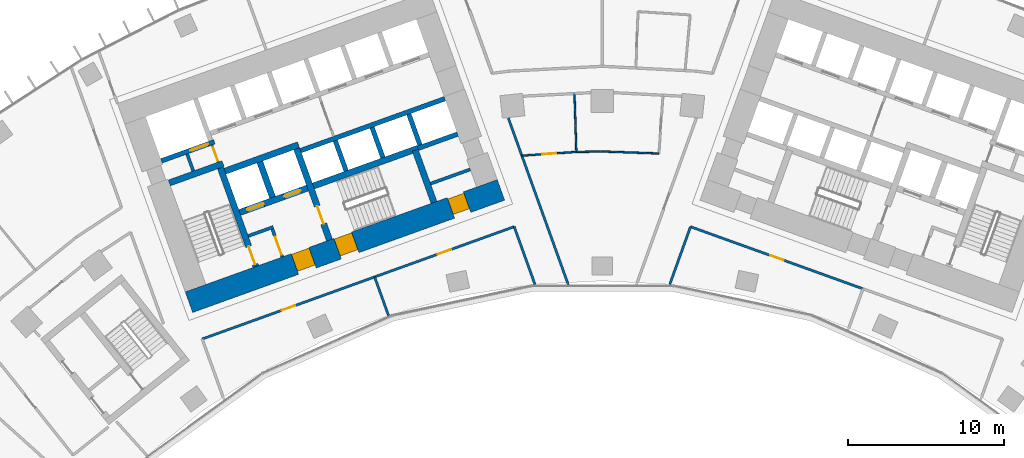
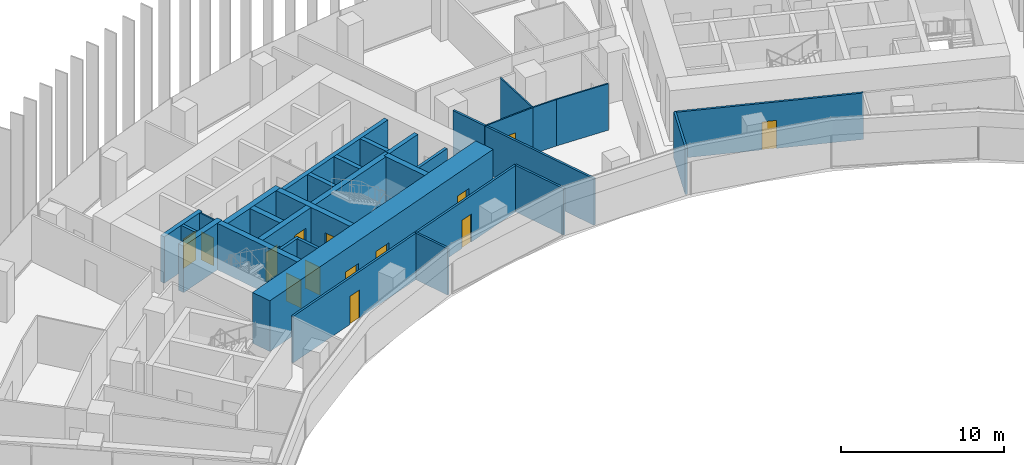
# One storey, part 15 of 21: 31 walls, 14 doors, 14 openings.
"""IFC4 building model written with IfcOpenShell, lengths in metres."""

from ifc_helpers import new_model, si_unit, direction, frame, frame_2d, origin, place, context, subcontext, project, spatial, rectangle, extrude, material, layer, layer_set, type_object, element, fill, save


model = new_model("IFC4")

# Units and contexts
model_context = context("Model", 3, precision=1e-05, world=origin(), true_north=direction((0.0, 1.0)))
body_context = subcontext(model_context, "Body", "Model", "MODEL_VIEW")
ifc_project = project(units=[si_unit("LENGTHUNIT", "METRE"), si_unit("AREAUNIT", "SQUARE_METRE"), si_unit("VOLUMEUNIT", "CUBIC_METRE"), si_unit("PLANEANGLEUNIT", "RADIAN"), si_unit("MASSUNIT", "GRAM", prefix="KILO")], contexts=[model_context])

# Site, building, storey
site_placement = place(None, origin())
site = spatial("IfcSite", under=ifc_project, at=site_placement, CompositionType="ELEMENT")
building_placement = place(site_placement, origin())
building = spatial("IfcBuilding", under=site, at=building_placement, Name="Stone Belt Terrace Tower", CompositionType="ELEMENT")
storey_placement = place(building_placement, frame((0.0, 0.0, 87.0)))
storey = spatial("IfcBuildingStorey", under=building, at=storey_placement, Name="L20", CompositionType="ELEMENT", Elevation=87.0)

# Wall, opening, door
ifc_material_1 = material(Name="Plasterboard partition")
ifc_layer_1 = layer(ifc_material_1, 0.10009765625)
ifc_layer_set_1 = layer_set([ifc_layer_1], Name="Core partition 100")
wall_type_1 = type_object("IfcWallType", Name="Core partition 100", PredefinedType="PARTITIONING", material=ifc_layer_set_1)
wall_1_placement = place(storey_placement, frame((-24.555908203125, 51.10400390625, 0.0), z_axis=(0.0, 0.0, 1.0), x_axis=(-0.338621735342, 0.94092258999, 0.0)))
wall_1 = element("IfcWall", 1, at=wall_1_placement, inside=storey, type_object=wall_type_1, Name="Core A wall", PredefinedType="PARTITIONING", context=body_context, shape_type="SweptSolid", body=[
    extrude(rectangle(XDim=1.14990234375, YDim=0.10009765625, at=frame_2d((0.574951171875, 0.0))), origin(), (0.0, 0.0, 1.0), 3.47998046875),
])
opening_1_placement = place(wall_1_placement, frame((0.050048828125, 0.0, 0.0)))
opening_1 = element("IfcOpeningElement", 2, at=opening_1_placement, cuts=wall_1, Name="Opening L20-C02", PredefinedType="OPENING", context=body_context, shape_type="SweptSolid", body=[
    extrude(rectangle(XDim=1.0, YDim=2.10009765625, at=frame_2d((0.5, 1.050048828125))), frame((0.0, 0.06005859375, 0.0), z_axis=(0.0, -1.0, 0.0), x_axis=(1.0, 0.0, 0.0)), (0.0, 0.0, 1.0), 0.1201171875),
])
ifc_material_2 = material(Name="Timber door leaf", Category="wood")
door_type_1 = type_object("IfcDoorType", Name="Core room door 1000", OperationType="SINGLE_SWING_LEFT", PredefinedType="DOOR", material=ifc_material_2)
door_1_placement = place(opening_1_placement, origin())
door_1 = element("IfcDoor", 3, at=door_1_placement, inside=storey, type_object=door_type_1, Name="Service lift lobby door core A", OperationType="SINGLE_SWING_LEFT", OverallHeight=2.10009765625, OverallWidth=1.0, PredefinedType="DOOR", context=body_context, shape_type="SweptSolid", body=[
    extrude(rectangle(XDim=1.0, YDim=2.10009765625, at=frame_2d((0.5, 1.050048828125))), frame((0.0, 0.02490234375, 0.0), z_axis=(0.0, -1.0, 0.0), x_axis=(1.0, 0.0, 0.0)), (0.0, 0.0, 1.0), 0.050048828125),
])
fill(opening_1, door_1)

# Wall, openings, doors
ifc_material_3 = material(Name="Concrete B80", Category="concrete")
ifc_layer_2 = layer(ifc_material_3, 1.39990234375)
ifc_layer_set_2 = layer_set([ifc_layer_2], Name="Core wall 1400 B80")
wall_type_2 = type_object("IfcWallType", Name="Core wall 1400 B80", PredefinedType="SHEAR", material=ifc_layer_set_2)
wall_2_placement = place(storey_placement, frame((-26.430908203125, 42.139404296875, 0.0), z_axis=(0.0, 0.0, 1.0), x_axis=(0.940923374003, 0.33861955681, 0.0)))
wall_2 = element("IfcWall", 4, at=wall_2_placement, inside=storey, type_object=wall_type_2, Name="Core A wall concave L20", PredefinedType="SHEAR", context=body_context, shape_type="SweptSolid", body=[
    extrude(rectangle(XDim=21.199951171875, YDim=1.39990234375, at=frame_2d((10.60009765625, 0.0))), origin(), (0.0, 0.0, 1.0), 3.800048828125),
])
opening_2_placement = place(wall_2_placement, frame((7.199951171875, 0.0, 0.0)))
opening_2 = element("IfcOpeningElement", 5, at=opening_2_placement, cuts=wall_2, Name="Opening L20-C07", PredefinedType="OPENING", context=body_context, shape_type="SweptSolid", body=[
    extrude(rectangle(XDim=1.199951171875, YDim=2.10009765625, at=frame_2d((0.60009765625, 1.050048828125))), frame((0.0, 0.7099609375, 0.0), z_axis=(0.0, -1.0, 0.0), x_axis=(1.0, 0.0, 0.0)), (0.0, 0.0, 1.0), 1.419921875),
])
opening_3_placement = place(wall_2_placement, frame((10.099853515625, 0.0, 0.0)))
opening_3 = element("IfcOpeningElement", 6, at=opening_3_placement, cuts=wall_2, Name="Opening L20-C09", PredefinedType="OPENING", context=body_context, shape_type="SweptSolid", body=[
    extrude(rectangle(XDim=1.199951171875, YDim=2.10009765625, at=frame_2d((0.60009765625, 1.050048828125))), frame((0.0, 0.7099609375, 0.0), z_axis=(0.0, -1.0, 0.0), x_axis=(1.0, 0.0, 0.0)), (0.0, 0.0, 1.0), 1.419921875),
])
opening_4_placement = place(wall_2_placement, frame((17.800048828125, 0.0, 0.0)))
opening_4 = element("IfcOpeningElement", 7, at=opening_4_placement, cuts=wall_2, Name="Opening L20-C11", PredefinedType="OPENING", context=body_context, shape_type="SweptSolid", body=[
    extrude(rectangle(XDim=1.10009765625, YDim=2.10009765625, at=frame_2d((0.550048828125, 1.050048828125))), frame((0.0, 0.7099609375, 0.0), z_axis=(0.0, -1.0, 0.0), x_axis=(1.0, 0.0, 0.0)), (0.0, 0.0, 1.0), 1.419921875),
])
door_type_2 = type_object("IfcDoorType", Name="Core room door 1100", OperationType="SINGLE_SWING_LEFT", PredefinedType="DOOR", material=ifc_material_2)
door_2_placement = place(opening_4_placement, origin())
door_2 = element("IfcDoor", 8, at=door_2_placement, inside=storey, type_object=door_type_2, Name="Door to Pipe riser core A", OperationType="SINGLE_SWING_LEFT", OverallHeight=2.10009765625, OverallWidth=1.10009765625, PredefinedType="DOOR", context=body_context, shape_type="SweptSolid", body=[
    extrude(rectangle(XDim=1.10009765625, YDim=2.10009765625, at=frame_2d((0.550048828125, 1.050048828125))), frame((0.0, 0.60498046875, 0.0), z_axis=(0.0, -1.0, 0.0), x_axis=(1.0, 0.0, 0.0)), (0.0, 0.0, 1.0), 1.050048828125),
])
fill(opening_4, door_2)
ifc_material_4 = material(Name="Steel door leaf", Category="steel")
door_type_3 = type_object("IfcDoorType", Name="Fire-fighting lobby door 1200", OperationType="SINGLE_SWING_LEFT", PredefinedType="DOOR", material=ifc_material_4)
door_3_placement = place(opening_2_placement, origin())
door_3 = element("IfcDoor", 9, at=door_3_placement, inside=storey, type_object=door_type_3, Name="Fire-fighting lobby door core A", OperationType="SINGLE_SWING_LEFT", OverallHeight=2.10009765625, OverallWidth=1.199951171875, PredefinedType="DOOR", context=body_context, shape_type="SweptSolid", body=[
    extrude(rectangle(XDim=1.199951171875, YDim=2.10009765625, at=frame_2d((0.60009765625, 1.050048828125))), frame((0.0, 0.655029296875, 0.0), z_axis=(0.0, -1.0, 0.0), x_axis=(1.0, 0.0, 0.0)), (0.0, 0.0, 1.0), 1.14990234375),
])
fill(opening_2, door_3)
door_type_4 = type_object("IfcDoorType", Name="Stair door 1200", OperationType="SINGLE_SWING_LEFT", PredefinedType="DOOR", material=ifc_material_4)
door_4_placement = place(opening_3_placement, origin())
door_4 = element("IfcDoor", 10, at=door_4_placement, inside=storey, type_object=door_type_4, Name="Stair 2 exit door core A", OperationType="SINGLE_SWING_RIGHT", OverallHeight=2.10009765625, OverallWidth=1.199951171875, PredefinedType="DOOR", context=body_context, shape_type="SweptSolid", body=[
    extrude(rectangle(XDim=1.199951171875, YDim=2.10009765625, at=frame_2d((0.60009765625, 1.050048828125))), frame((0.0, 0.655029296875, 0.0), z_axis=(0.0, -1.0, 0.0), x_axis=(1.0, 0.0, 0.0)), (0.0, 0.0, 1.0), 1.14990234375),
])
fill(opening_3, door_4)

# Walls
ifc_layer_3 = layer(ifc_material_3, 0.39990234375)
ifc_layer_set_3 = layer_set([ifc_layer_3], Name="Fire-fighting lift shaft wall 400")
wall_type_3 = type_object("IfcWallType", Name="Fire-fighting lift shaft wall 400", PredefinedType="SHEAR", material=ifc_layer_set_3)
wall_3_placement = place(storey_placement, frame((-24.130615234375, 50.512939453125, 0.0), z_axis=(0.0, 0.0, 1.0), x_axis=(0.94091168377, 0.338652038744, 0.0)))
element("IfcWall", 11, at=wall_3_placement, inside=storey, type_object=wall_type_3, Name="Core A wall", PredefinedType="SHEAR", context=body_context, shape_type="SweptSolid", body=[
    extrude(rectangle(XDim=5.000244140625, YDim=0.39990234375, at=frame_2d((2.5, 0.0))), origin(), (0.0, 0.0, 1.0), 3.47998046875),
])
wall_4_placement = place(storey_placement, frame((-21.0859375, 48.845458984375, 0.0), z_axis=(0.0, 0.0, 1.0), x_axis=(-0.338629416206, 0.940919825745, 0.0)))
element("IfcWall", 12, at=wall_4_placement, inside=storey, type_object=wall_type_3, Name="Core A wall", PredefinedType="SHEAR", context=body_context, shape_type="SweptSolid", body=[
    extrude(rectangle(XDim=2.400146484375, YDim=0.39990234375, at=frame_2d((1.2001953125, 0.0))), origin(), (0.0, 0.0, 1.0), 3.47998046875),
])

# Wall, opening, door
ifc_layer_4 = layer(ifc_material_3, 0.300048828125)
ifc_layer_set_4 = layer_set([ifc_layer_4], Name="Lift shaft wall 300")
wall_type_4 = type_object("IfcWallType", Name="Lift shaft wall 300", PredefinedType="SHEAR", material=ifc_layer_set_4)
wall_5_placement = place(storey_placement, frame((-28.195068359375, 51.17578125, 0.0), z_axis=(0.0, 0.0, 1.0), x_axis=(0.940901243567, 0.338681044427, 0.0)))
wall_5 = element("IfcWall", 13, at=wall_5_placement, inside=storey, type_object=wall_type_4, Name="Core A wall", PredefinedType="SHEAR", context=body_context, shape_type="SweptSolid", body=[
    extrude(rectangle(XDim=3.599853515625, YDim=0.300048828125, at=frame_2d((1.7998046875, 0.0))), origin(), (0.0, 0.0, 1.0), 3.47998046875),
])
opening_5_placement = place(wall_5_placement, frame((1.969970703125, 0.0, 0.0)))
opening_5 = element("IfcOpeningElement", 14, at=opening_5_placement, cuts=wall_5, Name="Opening L20-LD09", PredefinedType="OPENING", context=body_context, shape_type="SweptSolid", body=[
    extrude(rectangle(XDim=1.199951171875, YDim=2.199951171875, at=frame_2d((0.60009765625, 1.10009765625))), frame((0.0, 0.159912109375, 0.0), z_axis=(0.0, -1.0, 0.0), x_axis=(1.0, 0.0, 0.0)), (0.0, 0.0, 1.0), 0.320068359375),
])
ifc_material_5 = material(Name="Stainless steel door leaf", Category="steel")
door_type_5 = type_object("IfcDoorType", Name="Landing door 1200", OperationType="SLIDING_TO_LEFT", PredefinedType="DOOR", material=ifc_material_5)
door_5_placement = place(opening_5_placement, origin())
door_5 = element("IfcDoor", 15, at=door_5_placement, inside=storey, type_object=door_type_5, Name="Landing door SV1 core A", OperationType="SLIDING_TO_LEFT", OverallHeight=2.199951171875, OverallWidth=1.199951171875, PredefinedType="DOOR", context=body_context, shape_type="SweptSolid", body=[
    extrude(rectangle(XDim=1.199951171875, YDim=2.199951171875, at=frame_2d((0.60009765625, 1.10009765625))), frame((0.0, 0.02490234375, 0.0), z_axis=(0.0, -1.0, 0.0), x_axis=(1.0, 0.0, 0.0)), (0.0, 0.0, 1.0), 0.050048828125),
])
fill(opening_5, door_5)

# Walls
wall_6_placement = place(storey_placement, frame((-19.29052734375, 51.829833984375, 0.0), z_axis=(0.0, 0.0, 1.0), x_axis=(0.940925833398, 0.338612722803, 0.0)))
element("IfcWall", 16, at=wall_6_placement, inside=storey, type_object=wall_type_4, Name="Core A wall", PredefinedType="SHEAR", context=body_context, shape_type="SweptSolid", body=[
    extrude(rectangle(XDim=9.7998046875, YDim=0.300048828125, at=frame_2d((4.89990234375, 0.0))), origin(), (0.0, 0.0, 1.0), 3.47998046875),
])
for number, where, z_axis, x_axis, name in (
    (17, (-16.38134765625, 50.53857421875, 0.0), (0.0, 0.0, 1.0), (-0.338681515556, 0.940901073982, 0.0), "Core A wall"),
    (18, (-14.029052734375, 51.38525390625, 0.0), (0.0, 0.0, 1.0), (-0.338681515556, 0.940901073982, 0.0), "Core A wall"),
):
    element("IfcWall", number, at=place(storey_placement, frame(where, z_axis=z_axis, x_axis=x_axis)), inside=storey, type_object=wall_type_4, Name=name, PredefinedType="SHEAR", context=body_context, shape_type="SweptSolid", body=[
        extrude(rectangle(XDim=2.050048828125, YDim=0.300048828125, at=frame_2d((1.02490234375, 0.0))), origin(), (0.0, 0.0, 1.0), 3.47998046875),
    ])
wall_7_placement = place(storey_placement, frame((-11.797119140625, 51.975830078125, 0.0), z_axis=(0.0, 0.0, 1.0), x_axis=(0.940910465161, 0.33865542451, 0.0)))
element("IfcWall", 19, at=wall_7_placement, inside=storey, type_object=wall_type_4, Name="Core A wall", PredefinedType="SHEAR", context=body_context, shape_type="SweptSolid", body=[
    extrude(rectangle(XDim=2.69970703125, YDim=0.300048828125, at=frame_2d((1.349853515625, 0.0))), origin(), (0.0, 0.0, 1.0), 3.47998046875),
])
wall_8_placement = place(storey_placement, frame((-11.659912109375, 52.184814453125, 0.0), z_axis=(0.0, 0.0, 1.0), x_axis=(-0.338670064856, 0.940905195634, 0.0)))
element("IfcWall", 20, at=wall_8_placement, inside=storey, type_object=wall_type_4, Name="Core A wall", PredefinedType="SHEAR", context=body_context, shape_type="SweptSolid", body=[
    extrude(rectangle(XDim=2.099853515625, YDim=0.300048828125, at=frame_2d((1.0498046875, 0.0))), origin(), (0.0, 0.0, 1.0), 3.47998046875),
])

# Wall, opening, door
ifc_material_6 = material(Name="Gypsum board partition")
ifc_layer_5 = layer(ifc_material_6, 0.10009765625)
ifc_layer_set_5 = layer_set([ifc_layer_5], Name="PARTITION 100")
wall_type_5 = type_object("IfcWallType", Name="PARTITION 100", PredefinedType="PARTITIONING", material=ifc_layer_set_5)
wall_9_placement = place(storey_placement, frame((-5.14697265625, 51.509033203125, 0.0), z_axis=(0.0, 0.0, 1.0), x_axis=(0.997654919986, 0.068444580705, 0.0)))
wall_9 = element("IfcWall", 21, at=wall_9_placement, inside=storey, type_object=wall_type_5, Name="L20/wall/i084", PredefinedType="PARTITIONING", context=body_context, shape_type="SweptSolid", body=[
    extrude(rectangle(XDim=3.4921875, YDim=0.10009765625, at=frame_2d((1.74609375, 0.0))), origin(), (0.0, 0.0, 1.0), 3.47998046875),
])
opening_6_placement = place(wall_9_placement, frame((1.296142578125, 0.0, 0.0)))
opening_6 = element("IfcOpeningElement", 22, at=opening_6_placement, cuts=wall_9, Name="Opening D-B1-24", PredefinedType="OPENING", context=body_context, shape_type="SweptSolid", body=[
    extrude(rectangle(XDim=0.89990234375, YDim=2.10009765625, at=frame_2d((0.449951171875, 1.050048828125))), frame((0.0, 0.06005859375, 0.0), z_axis=(0.0, -1.0, 0.0), x_axis=(1.0, 0.0, 0.0)), (0.0, 0.0, 1.0), 0.1201171875),
])
door_type_6 = type_object("IfcDoorType", Name="OFFICE DOOR 900 X 2100", OperationType="NOTDEFINED", PredefinedType="DOOR", material=ifc_material_2)
door_6_placement = place(opening_6_placement, origin())
door_6 = element("IfcDoor", 23, at=door_6_placement, inside=storey, type_object=door_type_6, Name="L20/door/i24", OperationType="SINGLE_SWING_RIGHT", OverallHeight=2.10009765625, OverallWidth=0.89990234375, PredefinedType="DOOR", context=body_context, shape_type="SweptSolid", body=[
    extrude(rectangle(XDim=0.89990234375, YDim=2.10009765625, at=frame_2d((0.449951171875, 1.050048828125))), frame((0.0, 0.02490234375, 0.0), z_axis=(0.0, -1.0, 0.0), x_axis=(1.0, 0.0, 0.0)), (0.0, 0.0, 1.0), 0.050048828125),
])
fill(opening_6, door_6)

# Walls
wall_10_placement = place(storey_placement, frame((-1.6630859375, 51.748046875, 0.0), z_axis=(0.0, 0.0, 1.0), x_axis=(0.999869646958, 0.016145869226, 0.0)))
element("IfcWall", 24, at=wall_10_placement, inside=storey, type_object=wall_type_5, Name="L20/wall/i085", PredefinedType="PARTITIONING", context=body_context, shape_type="SweptSolid", body=[
    extrude(rectangle(XDim=1.663330078125, YDim=0.10009765625, at=frame_2d((0.83154296875, 0.0))), origin(), (0.0, 0.0, 1.0), 3.47998046875),
])
wall_11_placement = place(storey_placement, frame((0.0, 51.77490234375, 0.0), z_axis=(0.0, 0.0, 1.0), x_axis=(0.999384578981, -0.035077960248, 0.0)))
element("IfcWall", 25, at=wall_11_placement, inside=storey, type_object=wall_type_5, Name="L20/wall/i086", PredefinedType="PARTITIONING", context=body_context, shape_type="SweptSolid", body=[
    extrude(rectangle(XDim=3.619140625, YDim=0.10009765625, at=frame_2d((1.8095703125, 0.0))), origin(), (0.0, 0.0, 1.0), 3.47998046875),
])
wall_12_placement = place(storey_placement, frame((-1.782958984375, 55.48193359375, 0.0), z_axis=(0.0, 0.0, 1.0), x_axis=(0.032087561479, -0.999485061618, 0.0)))
element("IfcWall", 26, at=wall_12_placement, inside=storey, type_object=wall_type_5, Name="L20/wall/i088", PredefinedType="PARTITIONING", context=body_context, shape_type="SweptSolid", body=[
    extrude(rectangle(XDim=3.73583984375, YDim=0.10009765625, at=frame_2d((1.867919921875, 0.0))), origin(), (0.0, 0.0, 1.0), 3.47998046875),
])
ifc_layer_6 = layer(ifc_material_6, 0.14990234375)
ifc_layer_set_6 = layer_set([ifc_layer_6], Name="PARTITION 150 EI 60")
wall_type_6 = type_object("IfcWallType", Name="PARTITION 150 EI 60", PredefinedType="PARTITIONING", material=ifc_layer_set_6)
wall_13_placement = place(storey_placement, frame((-4.31005859375, 43.27783203125, 0.0), z_axis=(0.0, 0.0, 1.0), x_axis=(-0.338490436495, 0.940969831823, 0.0)))
element("IfcWall", 27, at=wall_13_placement, inside=storey, type_object=wall_type_6, Name="L20/wall/i006", PredefinedType="PARTITIONING", context=body_context, shape_type="SweptSolid", body=[
    extrude(rectangle(XDim=3.92578125, YDim=0.14990234375, at=frame_2d((1.962890625, 0.0))), origin(), (0.0, 0.0, 1.0), 3.47998046875),
])
wall_14_placement = place(storey_placement, frame((-5.14892578125, 51.514892578125, 0.0), z_axis=(0.0, 0.0, 1.0), x_axis=(0.338625833111, -0.940921115264, 0.0)))
element("IfcWall", 28, at=wall_14_placement, inside=storey, type_object=wall_type_6, Name="L20/wall/i008", PredefinedType="PARTITIONING", context=body_context, shape_type="SweptSolid", body=[
    extrude(rectangle(XDim=8.771484375, YDim=0.14990234375, at=frame_2d((4.3857421875, 0.0))), origin(), (0.0, 0.0, 1.0), 3.47998046875),
])
wall_15_placement = place(storey_placement, frame((-6.011962890625, 53.911865234375, 0.0), z_axis=(0.0, 0.0, 1.0), x_axis=(0.338624916553, -0.940921445122, 0.0)))
element("IfcWall", 29, at=wall_15_placement, inside=storey, type_object=wall_type_6, Name="L20/wall/i009", PredefinedType="PARTITIONING", context=body_context, shape_type="SweptSolid", body=[
    extrude(rectangle(XDim=2.560302734375, YDim=0.14990234375, at=frame_2d((1.2802734375, 0.0))), origin(), (0.0, 0.0, 1.0), 3.47998046875),
])

# Wall, opening, door
wall_16_placement = place(storey_placement, frame((-14.554931640625, 43.757080078125, 0.0), z_axis=(0.0, 0.0, 1.0), x_axis=(-0.940900686724, -0.338682591407, 0.0)))
wall_16 = element("IfcWall", 30, at=wall_16_placement, inside=storey, type_object=wall_type_6, Name="L20/wall/i011", PredefinedType="PARTITIONING", context=body_context, shape_type="SweptSolid", body=[
    extrude(rectangle(XDim=11.721923828125, YDim=0.14990234375, at=frame_2d((5.86083984375, 0.0))), origin(), (0.0, 0.0, 1.0), 3.47998046875),
])
opening_7_placement = place(wall_16_placement, frame((5.410888671875, 0.0, 0.0)))
opening_7 = element("IfcOpeningElement", 31, at=opening_7_placement, cuts=wall_16, Name="Opening D-B1-01", PredefinedType="OPENING", context=body_context, shape_type="SweptSolid", body=[
    extrude(rectangle(XDim=0.89990234375, YDim=2.10009765625, at=frame_2d((0.449951171875, 1.050048828125))), frame((0.0, 0.0849609375, 0.0), z_axis=(0.0, -1.0, 0.0), x_axis=(1.0, 0.0, 0.0)), (0.0, 0.0, 1.0), 0.169921875),
])
door_7_placement = place(opening_7_placement, origin())
door_7 = element("IfcDoor", 32, at=door_7_placement, inside=storey, type_object=door_type_6, Name="L20/door/i01", OperationType="SINGLE_SWING_RIGHT", OverallHeight=2.10009765625, OverallWidth=0.89990234375, PredefinedType="DOOR", context=body_context, shape_type="SweptSolid", body=[
    extrude(rectangle(XDim=0.89990234375, YDim=2.10009765625, at=frame_2d((0.449951171875, 1.050048828125))), frame((0.0, 0.02490234375, 0.0), z_axis=(0.0, -1.0, 0.0), x_axis=(1.0, 0.0, 0.0)), (0.0, 0.0, 1.0), 0.050048828125),
])
fill(opening_7, door_7)

wall_17_placement = place(storey_placement, frame((-5.636962890625, 46.966064453125, 0.0), z_axis=(0.0, 0.0, 1.0), x_axis=(-0.940930696297, -0.338599209635, 0.0)))
wall_17 = element("IfcWall", 33, at=wall_17_placement, inside=storey, type_object=wall_type_6, Name="L20/wall/i012", PredefinedType="PARTITIONING", context=body_context, shape_type="SweptSolid", body=[
    extrude(rectangle(XDim=9.489501953125, YDim=0.14990234375, at=frame_2d((4.74462890625, 0.0))), origin(), (0.0, 0.0, 1.0), 3.47998046875),
])
opening_8_placement = place(wall_17_placement, frame((4.294677734375, 0.0, 0.0)))
opening_8 = element("IfcOpeningElement", 34, at=opening_8_placement, cuts=wall_17, Name="Opening D-B1-02", PredefinedType="OPENING", context=body_context, shape_type="SweptSolid", body=[
    extrude(rectangle(XDim=0.89990234375, YDim=2.10009765625, at=frame_2d((0.449951171875, 1.050048828125))), frame((0.0, 0.0849609375, 0.0), z_axis=(0.0, -1.0, 0.0), x_axis=(1.0, 0.0, 0.0)), (0.0, 0.0, 1.0), 0.169921875),
])
door_8_placement = place(opening_8_placement, origin())
door_8 = element("IfcDoor", 35, at=door_8_placement, inside=storey, type_object=door_type_6, Name="L20/door/i02", OperationType="SINGLE_SWING_RIGHT", OverallHeight=2.10009765625, OverallWidth=0.89990234375, PredefinedType="DOOR", context=body_context, shape_type="SweptSolid", body=[
    extrude(rectangle(XDim=0.89990234375, YDim=2.10009765625, at=frame_2d((0.449951171875, 1.050048828125))), frame((0.0, 0.02490234375, 0.0), z_axis=(0.0, -1.0, 0.0), x_axis=(1.0, 0.0, 0.0)), (0.0, 0.0, 1.0), 0.050048828125),
])
fill(opening_8, door_8)

# Walls
wall_18_placement = place(storey_placement, frame((-14.56005859375, 43.75390625, 0.0), z_axis=(0.0, 0.0, 1.0), x_axis=(0.33850875979, -0.940963240273, 0.0)))
element("IfcWall", 36, at=wall_18_placement, inside=storey, type_object=wall_type_6, Name="L20/wall/i013", PredefinedType="PARTITIONING", context=body_context, shape_type="SweptSolid", body=[
    extrude(rectangle(XDim=2.6259765625, YDim=0.14990234375, at=frame_2d((1.31298828125, 0.0))), origin(), (0.0, 0.0, 1.0), 3.47998046875),
])
wall_19_placement = place(storey_placement, frame((5.638916015625, 46.971923828125, 0.0), z_axis=(0.0, 0.0, 1.0), x_axis=(-0.338490436495, -0.940969831823, 0.0)))
element("IfcWall", 37, at=wall_19_placement, inside=storey, type_object=wall_type_6, Name="L20/wall/i015", PredefinedType="PARTITIONING", context=body_context, shape_type="SweptSolid", body=[
    extrude(rectangle(XDim=3.92578125, YDim=0.14990234375, at=frame_2d((1.962890625, 0.0))), origin(), (0.0, 0.0, 1.0), 3.47998046875),
])

# Wall, opening, door
wall_20_placement = place(storey_placement, frame((16.6669921875, 42.99609375, 0.0), z_axis=(0.0, 0.0, 1.0), x_axis=(-0.940910241935, 0.338656044714, 0.0)))
wall_20 = element("IfcWall", 38, at=wall_20_placement, inside=storey, type_object=wall_type_6, Name="L20/wall/i025", PredefinedType="PARTITIONING", context=body_context, shape_type="SweptSolid", body=[
    extrude(rectangle(XDim=11.72265625, YDim=0.14990234375, at=frame_2d((5.861328125, 0.0))), origin(), (0.0, 0.0, 1.0), 3.47998046875),
])
opening_9_placement = place(wall_20_placement, frame((5.411376953125, 0.0, 0.0)))
opening_9 = element("IfcOpeningElement", 39, at=opening_9_placement, cuts=wall_20, Name="Opening D-B1-05", PredefinedType="OPENING", context=body_context, shape_type="SweptSolid", body=[
    extrude(rectangle(XDim=0.89990234375, YDim=2.10009765625, at=frame_2d((0.449951171875, 1.050048828125))), frame((0.0, 0.0849609375, 0.0), z_axis=(0.0, -1.0, 0.0), x_axis=(1.0, 0.0, 0.0)), (0.0, 0.0, 1.0), 0.169921875),
])
door_9_placement = place(opening_9_placement, origin())
door_9 = element("IfcDoor", 40, at=door_9_placement, inside=storey, type_object=door_type_6, Name="L20/door/i05", OperationType="SINGLE_SWING_RIGHT", OverallHeight=2.10009765625, OverallWidth=0.89990234375, PredefinedType="DOOR", context=body_context, shape_type="SweptSolid", body=[
    extrude(rectangle(XDim=0.89990234375, YDim=2.10009765625, at=frame_2d((0.449951171875, 1.050048828125))), frame((0.0, 0.02490234375, 0.0), z_axis=(0.0, -1.0, 0.0), x_axis=(1.0, 0.0, 0.0)), (0.0, 0.0, 1.0), 0.050048828125),
])
fill(opening_9, door_9)

# Walls
ifc_material_7 = material(Name="Concrete masonry block", Category="masonry")
ifc_layer_7 = layer(ifc_material_7, 0.199951171875)
ifc_layer_set_7 = layer_set([ifc_layer_7], Name="Rated lobby wall 200")
wall_type_7 = type_object("IfcWallType", Name="Rated lobby wall 200", PredefinedType="PARTITIONING", material=ifc_layer_set_7)
wall_21_placement = place(storey_placement, frame((-26.1552734375, 50.5283203125, 0.0), z_axis=(0.0, 0.0, 1.0), x_axis=(-0.338621735342, 0.94092258999, 0.0)))
element("IfcWall", 41, at=wall_21_placement, inside=storey, type_object=wall_type_7, Name="Core A wall", PredefinedType="PARTITIONING", context=body_context, shape_type="SweptSolid", body=[
    extrude(rectangle(XDim=1.14990234375, YDim=0.199951171875, at=frame_2d((0.574951171875, 0.0))), origin(), (0.0, 0.0, 1.0), 3.47998046875),
])
wall_22_placement = place(storey_placement, frame((-22.640625, 46.373046875, 0.0), z_axis=(0.0, 0.0, 1.0), x_axis=(0.940966110313, 0.338500781747, 0.0)))
element("IfcWall", 42, at=wall_22_placement, inside=storey, type_object=wall_type_7, Name="Core A wall", PredefinedType="PARTITIONING", context=body_context, shape_type="SweptSolid", body=[
    extrude(rectangle(XDim=1.699951171875, YDim=0.199951171875, at=frame_2d((0.85009765625, 0.0))), origin(), (0.0, 0.0, 1.0), 3.47998046875),
])

# Wall, opening, door
wall_23_placement = place(storey_placement, frame((-20.4580078125, 45.032958984375, 0.0), z_axis=(0.0, 0.0, 1.0), x_axis=(-0.338573865316, 0.940939816208, 0.0)))
wall_23 = element("IfcWall", 43, at=wall_23_placement, inside=storey, type_object=wall_type_7, Name="Core A wall", PredefinedType="PARTITIONING", context=body_context, shape_type="SweptSolid", body=[
    extrude(rectangle(XDim=1.900146484375, YDim=0.199951171875, at=frame_2d((0.9501953125, 0.0))), origin(), (0.0, 0.0, 1.0), 3.47998046875),
])
opening_10_placement = place(wall_23_placement, frame((0.14990234375, 0.0, 0.0)))
opening_10 = element("IfcOpeningElement", 44, at=opening_10_placement, cuts=wall_23, Name="Opening L20-C06", PredefinedType="OPENING", context=body_context, shape_type="SweptSolid", body=[
    extrude(rectangle(XDim=1.199951171875, YDim=2.10009765625, at=frame_2d((0.60009765625, 1.050048828125))), frame((0.0, 0.10986328125, 0.0), z_axis=(0.0, -1.0, 0.0), x_axis=(1.0, 0.0, 0.0)), (0.0, 0.0, 1.0), 0.219970703125),
])
door_10_placement = place(opening_10_placement, origin())
door_10 = element("IfcDoor", 45, at=door_10_placement, inside=storey, type_object=door_type_4, Name="Stair airlock door core A", OperationType="SINGLE_SWING_LEFT", OverallHeight=2.10009765625, OverallWidth=1.199951171875, PredefinedType="DOOR", context=body_context, shape_type="SweptSolid", body=[
    extrude(rectangle(XDim=1.199951171875, YDim=2.10009765625, at=frame_2d((0.60009765625, 1.050048828125))), frame((0.0, 0.02490234375, 0.0), z_axis=(0.0, -1.0, 0.0), x_axis=(1.0, 0.0, 0.0)), (0.0, 0.0, 1.0), 0.050048828125),
])
fill(opening_10, door_10)

# Walls
wall_24_placement = place(storey_placement, frame((-10.984619140625, 49.717529296875, 0.0), z_axis=(0.0, 0.0, 1.0), x_axis=(0.940920834877, 0.338626612206, 0.0)))
element("IfcWall", 46, at=wall_24_placement, inside=storey, type_object=wall_type_7, Name="Core A wall", PredefinedType="PARTITIONING", context=body_context, shape_type="SweptSolid", body=[
    extrude(rectangle(XDim=2.699951171875, YDim=0.199951171875, at=frame_2d((1.35009765625, 0.0))), origin(), (0.0, 0.0, 1.0), 3.47998046875),
])
ifc_layer_8 = layer(ifc_material_3, 0.39990234375)
ifc_layer_set_8 = layer_set([ifc_layer_8], Name="Stair enclosure wall 400")
wall_type_8 = type_object("IfcWallType", Name="Stair enclosure wall 400", PredefinedType="SHEAR", material=ifc_layer_set_8)
wall_25_placement = place(storey_placement, frame((-27.687255859375, 49.764404296875, 0.0), z_axis=(0.0, 0.0, 1.0), x_axis=(0.940918954884, 0.338631835981, 0.0)))
element("IfcWall", 47, at=wall_25_placement, inside=storey, type_object=wall_type_8, Name="Core A wall", PredefinedType="SHEAR", context=body_context, shape_type="SweptSolid", body=[
    extrude(rectangle(XDim=3.650146484375, YDim=0.39990234375, at=frame_2d((1.8251953125, 0.0))), origin(), (0.0, 0.0, 1.0), 3.47998046875),
])

# Wall, opening, door
wall_26_placement = place(storey_placement, frame((-22.151611328125, 44.42333984375, 0.0), z_axis=(0.0, 0.0, 1.0), x_axis=(-0.338625272931, 0.940921316866, 0.0)))
wall_26 = element("IfcWall", 48, at=wall_26_placement, inside=storey, type_object=wall_type_8, Name="Core A wall", PredefinedType="SHEAR", context=body_context, shape_type="SweptSolid", body=[
    extrude(rectangle(XDim=6.699951171875, YDim=0.39990234375, at=frame_2d((3.35009765625, 0.0))), origin(), (0.0, 0.0, 1.0), 3.47998046875),
])
opening_11_placement = place(wall_26_placement, frame((0.14990234375, 0.0, 0.0)))
opening_11 = element("IfcOpeningElement", 49, at=opening_11_placement, cuts=wall_26, Name="Opening L20-C05", PredefinedType="OPENING", context=body_context, shape_type="SweptSolid", body=[
    extrude(rectangle(XDim=1.199951171875, YDim=2.10009765625, at=frame_2d((0.60009765625, 1.050048828125))), frame((0.0, 0.2099609375, 0.0), z_axis=(0.0, -1.0, 0.0), x_axis=(1.0, 0.0, 0.0)), (0.0, 0.0, 1.0), 0.419921875),
])
door_11_placement = place(opening_11_placement, origin())
door_11 = element("IfcDoor", 50, at=door_11_placement, inside=storey, type_object=door_type_4, Name="Stair 1 door core A", OperationType="SINGLE_SWING_LEFT", OverallHeight=2.10009765625, OverallWidth=1.199951171875, PredefinedType="DOOR", context=body_context, shape_type="SweptSolid", body=[
    extrude(rectangle(XDim=1.199951171875, YDim=2.10009765625, at=frame_2d((0.60009765625, 1.050048828125))), frame((0.0, 0.02490234375, 0.0), z_axis=(0.0, -1.0, 0.0), x_axis=(1.0, 0.0, 0.0)), (0.0, 0.0, 1.0), 0.050048828125),
])
fill(opening_11, door_11)

# Wall, openings, doors
wall_27_placement = place(storey_placement, frame((-23.182373046875, 47.87841796875, 0.0), z_axis=(0.0, 0.0, 1.0), x_axis=(0.940921101762, 0.338625870628, 0.0)))
wall_27 = element("IfcWall", 51, at=wall_27_placement, inside=storey, type_object=wall_type_8, Name="Core A wall", PredefinedType="SHEAR", context=body_context, shape_type="SweptSolid", body=[
    extrude(rectangle(XDim=12.10009765625, YDim=0.39990234375, at=frame_2d((6.050048828125, 0.0))), origin(), (0.0, 0.0, 1.0), 3.47998046875),
])
opening_12_placement = place(wall_27_placement, frame((0.52001953125, 0.0, 0.0)))
opening_12 = element("IfcOpeningElement", 52, at=opening_12_placement, cuts=wall_27, Name="Opening L20-LD07", PredefinedType="OPENING", context=body_context, shape_type="SweptSolid", body=[
    extrude(rectangle(XDim=1.10009765625, YDim=2.199951171875, at=frame_2d((0.550048828125, 1.10009765625))), frame((0.0, 0.2099609375, 0.0), z_axis=(0.0, -1.0, 0.0), x_axis=(1.0, 0.0, 0.0)), (0.0, 0.0, 1.0), 0.419921875),
])
opening_13_placement = place(wall_27_placement, frame((3.02001953125, 0.0, 0.0)))
opening_13 = element("IfcOpeningElement", 53, at=opening_13_placement, cuts=wall_27, Name="Opening L20-LD08", PredefinedType="OPENING", context=body_context, shape_type="SweptSolid", body=[
    extrude(rectangle(XDim=1.10009765625, YDim=2.199951171875, at=frame_2d((0.550048828125, 1.10009765625))), frame((0.0, 0.2099609375, 0.0), z_axis=(0.0, -1.0, 0.0), x_axis=(1.0, 0.0, 0.0)), (0.0, 0.0, 1.0), 0.419921875),
])
door_type_7 = type_object("IfcDoorType", Name="Landing door 1100", OperationType="SLIDING_TO_LEFT", PredefinedType="DOOR", material=ifc_material_5)
door_12_placement = place(opening_12_placement, origin())
door_12 = element("IfcDoor", 54, at=door_12_placement, inside=storey, type_object=door_type_7, Name="Landing door FF1 core A", OperationType="SLIDING_TO_LEFT", OverallHeight=2.199951171875, OverallWidth=1.10009765625, PredefinedType="DOOR", context=body_context, shape_type="SweptSolid", body=[
    extrude(rectangle(XDim=1.10009765625, YDim=2.199951171875, at=frame_2d((0.550048828125, 1.10009765625))), frame((0.0, 0.02490234375, 0.0), z_axis=(0.0, -1.0, 0.0), x_axis=(1.0, 0.0, 0.0)), (0.0, 0.0, 1.0), 0.050048828125),
])
fill(opening_12, door_12)
door_13_placement = place(opening_13_placement, origin())
door_13 = element("IfcDoor", 55, at=door_13_placement, inside=storey, type_object=door_type_7, Name="Landing door FF2 core A", OperationType="SLIDING_TO_LEFT", OverallHeight=2.199951171875, OverallWidth=1.10009765625, PredefinedType="DOOR", context=body_context, shape_type="SweptSolid", body=[
    extrude(rectangle(XDim=1.10009765625, YDim=2.199951171875, at=frame_2d((0.550048828125, 1.10009765625))), frame((0.0, 0.02490234375, 0.0), z_axis=(0.0, -1.0, 0.0), x_axis=(1.0, 0.0, 0.0)), (0.0, 0.0, 1.0), 0.050048828125),
])
fill(opening_13, door_13)

# Wall, opening, door
wall_28_placement = place(storey_placement, frame((-17.447021484375, 46.116455078125, 0.0), z_axis=(0.0, 0.0, 1.0), x_axis=(-0.33860791464, 0.940927563707, 0.0)))
wall_28 = element("IfcWall", 56, at=wall_28_placement, inside=storey, type_object=wall_type_8, Name="Core A wall", PredefinedType="SHEAR", context=body_context, shape_type="SweptSolid", body=[
    extrude(rectangle(XDim=6.199951171875, YDim=0.39990234375, at=frame_2d((3.10009765625, 0.0))), origin(), (0.0, 0.0, 1.0), 3.47998046875),
])
opening_14_placement = place(wall_28_placement, frame((1.10009765625, 0.0, 0.0)))
opening_14 = element("IfcOpeningElement", 57, at=opening_14_placement, cuts=wall_28, Name="Opening L20-C08", PredefinedType="OPENING", context=body_context, shape_type="SweptSolid", body=[
    extrude(rectangle(XDim=1.199951171875, YDim=2.10009765625, at=frame_2d((0.60009765625, 1.050048828125))), frame((0.0, 0.2099609375, 0.0), z_axis=(0.0, -1.0, 0.0), x_axis=(1.0, 0.0, 0.0)), (0.0, 0.0, 1.0), 0.419921875),
])
door_14_placement = place(opening_14_placement, origin())
door_14 = element("IfcDoor", 58, at=door_14_placement, inside=storey, type_object=door_type_4, Name="Stair 2 door core A", OperationType="SINGLE_SWING_LEFT", OverallHeight=2.10009765625, OverallWidth=1.199951171875, PredefinedType="DOOR", context=body_context, shape_type="SweptSolid", body=[
    extrude(rectangle(XDim=1.199951171875, YDim=2.10009765625, at=frame_2d((0.60009765625, 1.050048828125))), frame((0.0, 0.02490234375, 0.0), z_axis=(0.0, -1.0, 0.0), x_axis=(1.0, 0.0, 0.0)), (0.0, 0.0, 1.0), 0.050048828125),
])
fill(opening_14, door_14)

# Wall
wall_29_placement = place(storey_placement, frame((-10.766357421875, 48.520751953125, 0.0), z_axis=(0.0, 0.0, 1.0), x_axis=(-0.338626928157, 0.94092072117, 0.0)))
element("IfcWall", 59, at=wall_29_placement, inside=storey, type_object=wall_type_8, Name="Core A wall", PredefinedType="SHEAR", context=body_context, shape_type="SweptSolid", body=[
    extrude(rectangle(XDim=3.550048828125, YDim=0.39990234375, at=frame_2d((1.77490234375, 0.0))), origin(), (0.0, 0.0, 1.0), 3.47998046875),
])

save(model, "model.ifc")
